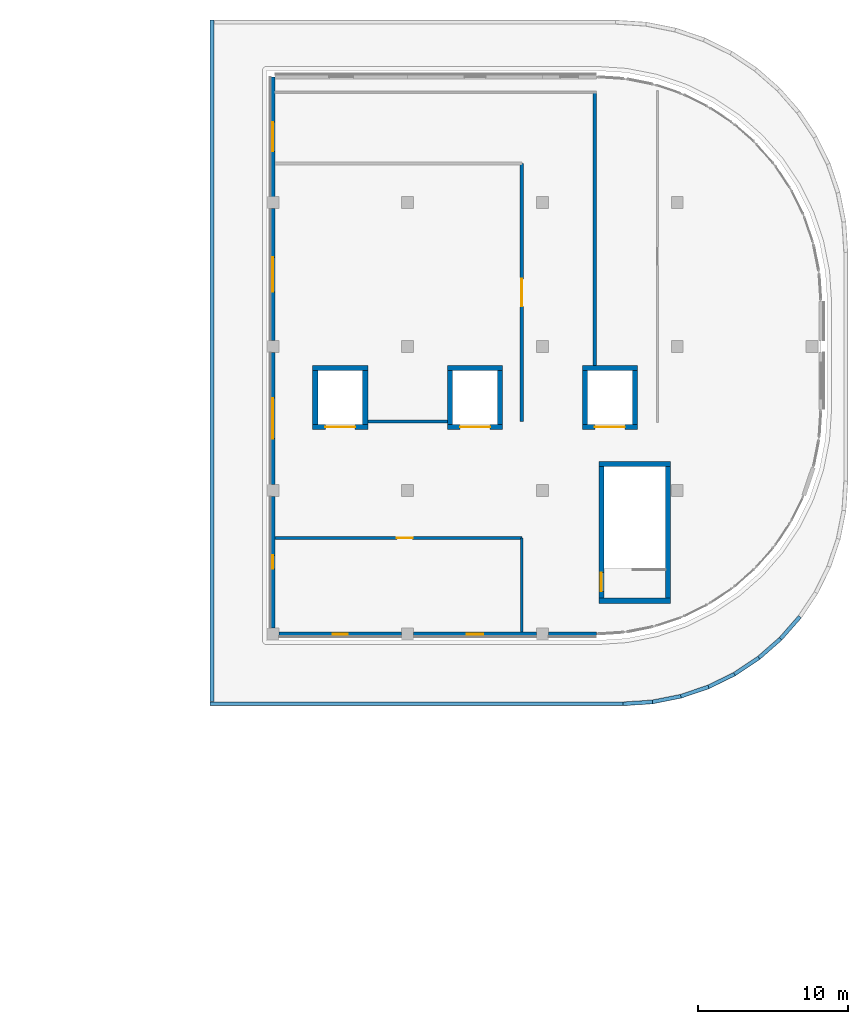
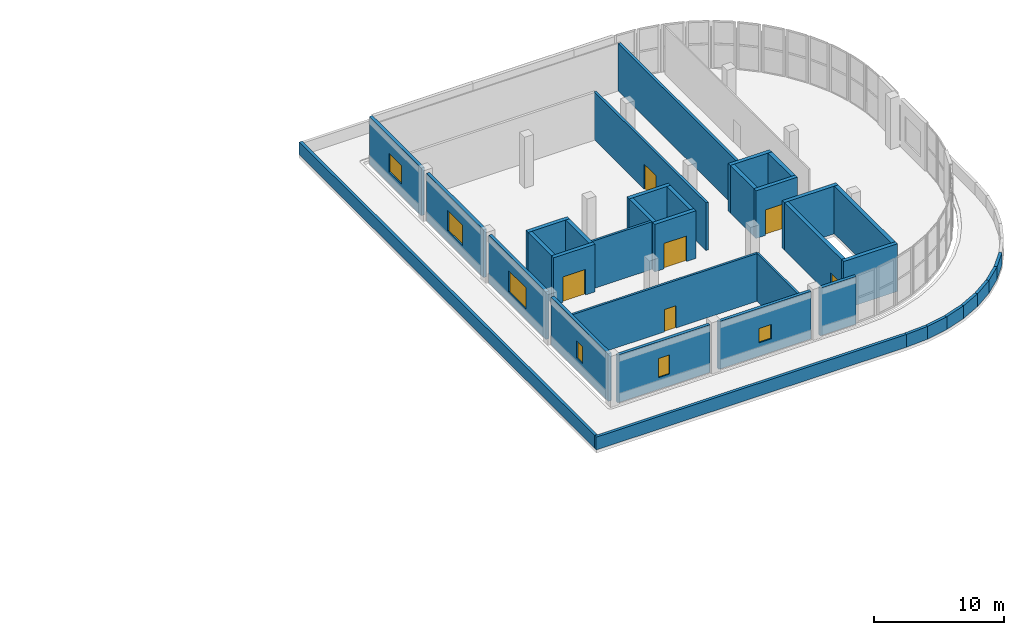
# One storey, part 24 of 33: 37 walls, 6 doors, 6 windows, 12 openings.
"""IFC4 building model written with IfcOpenShell, lengths in metres."""

from ifc_helpers import new_model, si_unit, direction, frame, frame_2d, origin, place, context, subcontext, project, spatial, rectangle, extrude, material, layer, layer_set, type_object, element, fill, save


model = new_model("IFC4")

# Units and contexts
model_context = context("Model", 3, precision=1e-05, world=origin(), true_north=direction((0.0, 1.0)))
body_context = subcontext(model_context, "Body", "Model", "MODEL_VIEW")
ifc_project = project(units=[si_unit("LENGTHUNIT", "METRE"), si_unit("AREAUNIT", "SQUARE_METRE"), si_unit("VOLUMEUNIT", "CUBIC_METRE"), si_unit("PLANEANGLEUNIT", "RADIAN"), si_unit("MASSUNIT", "GRAM", prefix="KILO")], contexts=[model_context])

# Site, building, storey
site_placement = place(None, origin())
site = spatial("IfcSite", under=ifc_project, at=site_placement, CompositionType="ELEMENT")
building_placement = place(site_placement, origin())
building = spatial("IfcBuilding", under=site, at=building_placement, Name="Cendralis Terraced Arcade", CompositionType="ELEMENT")
storey_placement = place(building_placement, frame((0.0, 0.0, 19.800048828125)))
storey = spatial("IfcBuildingStorey", under=building, at=storey_placement, Name="L04", CompositionType="ELEMENT", Elevation=19.800048828125)

# Wall
ifc_material_1 = material(Name="Gypsum plasterboard acoustic partition", Category="concrete")
ifc_layer_1 = layer(ifc_material_1, 0.199951171875, Name="WL-ACOU-200")
ifc_layer_set_1 = layer_set([ifc_layer_1], Name="Gypsum plasterboard acoustic partition")
wall_type_1 = type_object("IfcWallType", Name="WL-ACOU-200", PredefinedType="PARTITIONING", material=ifc_layer_set_1)
wall_1_placement = place(storey_placement, frame((141.860107421875, 83.780029296875, 0.0), z_axis=(0.0, 0.0, 1.0), x_axis=(-1.0, 0.0, 0.0)))
element("IfcWall", 1, at=wall_1_placement, inside=storey, type_object=wall_type_1, Name="Interior Partition Wall IW-L04-0596", PredefinedType="PARTITIONING", context=body_context, shape_type="SweptSolid", body=[
    extrude(rectangle(XDim=5.320068359375, YDim=0.199951171875, at=frame_2d((2.66015625, 0.0))), origin(), (0.0, 0.0, 1.0), 4.47998046875),
])

# Wall, opening, door
ifc_layer_2 = layer(ifc_material_1, 0.2099609375, Name="WL-ACOU-210")
ifc_layer_set_2 = layer_set([ifc_layer_2], Name="Gypsum plasterboard acoustic partition")
wall_type_2 = type_object("IfcWallType", Name="WL-ACOU-210", PredefinedType="PARTITIONING", material=ifc_layer_set_2)
wall_2_placement = place(storey_placement, frame((146.820068359375, 101.02001953125, 0.0), z_axis=(0.0, 0.0, 1.0), x_axis=(0.0, -1.0, 0.0)))
wall_2 = element("IfcWall", 2, at=wall_2_placement, inside=storey, type_object=wall_type_2, Name="Interior Partition Wall IW-L04-0594", PredefinedType="PARTITIONING", context=body_context, shape_type="SweptSolid", body=[
    extrude(rectangle(XDim=17.239990234375, YDim=0.2099609375, at=frame_2d((8.6201171875, 0.0))), origin(), (0.0, 0.0, 1.0), 4.47998046875),
])
opening_1_placement = place(wall_2_placement, frame((7.695068359375, 0.0, 0.0)))
opening_1 = element("IfcOpeningElement", 3, at=opening_1_placement, cuts=wall_2, Name="Opening D-L04-161", PredefinedType="OPENING", context=body_context, shape_type="SweptSolid", body=[
    extrude(rectangle(XDim=1.85009765625, YDim=2.35009765625, at=frame_2d((0.925048828125, 1.175048828125))), frame((0.0, 0.116943359375, 0.0), z_axis=(0.0, -1.0, 0.0), x_axis=(1.0, 0.0, 0.0)), (0.0, 0.0, 1.0), 0.23388671875),
])
ifc_material_2 = material(Name="Solid core Andean oak veneer door leaf", Category="aluminium")
door_type_1 = type_object("IfcDoorType", Name="ID-DEP-1850x2350", OperationType="DOUBLE_DOOR_SINGLE_SWING", PredefinedType="DOOR", material=ifc_material_2)
door_1_placement = place(opening_1_placement, origin())
door_1 = element("IfcDoor", 4, at=door_1_placement, inside=storey, type_object=door_type_1, Name="Buying and Store Management Offices - Executive Door D-L04-161", OperationType="DOUBLE_DOOR_SINGLE_SWING", OverallHeight=2.35009765625, OverallWidth=1.85009765625, PredefinedType="DOOR", context=body_context, shape_type="SweptSolid", body=[
    extrude(rectangle(XDim=1.85009765625, YDim=2.35009765625, at=frame_2d((0.925048828125, 1.175048828125))), frame((0.0, 0.02490234375, 0.0), z_axis=(0.0, -1.0, 0.0), x_axis=(1.0, 0.0, 0.0)), (0.0, 0.0, 1.0), 0.050048828125),
])
fill(opening_1, door_1)

# Walls
ifc_material_3 = material(Name="Autoclaved aerated concrete blockwork", Category="masonry")
ifc_layer_3 = layer(ifc_material_3, 0.22802734375, Name="WL-ACOU-228")
ifc_layer_set_3 = layer_set([ifc_layer_3], Name="Autoclaved aerated concrete blockwork")
wall_type_3 = type_object("IfcWallType", Name="WL-ACOU-228", PredefinedType="PARTITIONING", material=ifc_layer_set_3)
wall_3_placement = place(storey_placement, frame((151.679931640625, 87.5400390625, 0.0), z_axis=(0.0, 0.0, 1.0), x_axis=(0.0, 1.0, 0.0)))
element("IfcWall", 5, at=wall_3_placement, inside=storey, type_object=wall_type_3, Name="Interior Partition Wall IW-L04-0593", PredefinedType="PARTITIONING", context=body_context, shape_type="SweptSolid", body=[
    extrude(rectangle(XDim=18.18603515625, YDim=0.22802734375, at=frame_2d((9.093017578125, 0.0))), origin(), (0.0, 0.0, 1.0), 4.47998046875),
])
ifc_material_4 = material(Name="Concrete f'c 42 MPa", Category="concrete")
ifc_layer_4 = layer(ifc_material_4, 0.340087890625, Name="WL-CORE-340")
ifc_layer_set_4 = layer_set([ifc_layer_4], Name="Concrete f'c 42 MPa")
wall_type_4 = type_object("IfcWallType", Name="WL-CORE-340", PredefinedType="SHEAR", material=ifc_layer_set_4)
for number, where, z_axis, x_axis, name in (
    (6, (151.9599609375, 71.830078125, 0.0), (0.0, 0.0, 1.0), (1.0, 0.0, 0.0), "Stair Core Reinforced Concrete Shear Wall SW-ST-06-L04-S"),
    (7, (151.9599609375, 80.969970703125, 0.0), (0.0, 0.0, 1.0), (1.0, 0.0, 0.0), "Stair Core Reinforced Concrete Shear Wall SW-ST-06-L04-N"),
):
    element("IfcWall", number, at=place(storey_placement, frame(where, z_axis=z_axis, x_axis=x_axis)), inside=storey, type_object=wall_type_4, Name=name, PredefinedType="SHEAR", context=body_context, shape_type="SweptSolid", body=[
        extrude(rectangle(XDim=4.780029296875, YDim=0.340087890625, at=frame_2d((2.39013671875, 0.0))), origin(), (0.0, 0.0, 1.0), 4.47998046875),
    ])
wall_4_placement = place(storey_placement, frame((156.570068359375, 72.0, 0.0), z_axis=(0.0, 0.0, 1.0), x_axis=(0.0, 1.0, 0.0)))
element("IfcWall", 8, at=wall_4_placement, inside=storey, type_object=wall_type_4, Name="Stair Core Reinforced Concrete Shear Wall SW-ST-06-L04-E", PredefinedType="SHEAR", context=body_context, shape_type="SweptSolid", body=[
    extrude(rectangle(XDim=8.800048828125, YDim=0.340087890625, at=frame_2d((4.39990234375, 0.0))), origin(), (0.0, 0.0, 1.0), 4.47998046875),
])

# Wall, opening, door
wall_5_placement = place(storey_placement, frame((152.1298828125, 72.0, 0.0), z_axis=(0.0, 0.0, 1.0), x_axis=(0.0, 1.0, 0.0)))
wall_5 = element("IfcWall", 9, at=wall_5_placement, inside=storey, type_object=wall_type_4, Name="Stair Core Reinforced Concrete Shear Wall SW-ST-06-L04-W", PredefinedType="SHEAR", context=body_context, shape_type="SweptSolid", body=[
    extrude(rectangle(XDim=8.800048828125, YDim=0.340087890625, at=frame_2d((4.39990234375, 0.0))), origin(), (0.0, 0.0, 1.0), 4.47998046875),
])
opening_2_placement = place(wall_5_placement, frame((0.449951171875, 0.0, 0.0)))
opening_2 = element("IfcOpeningElement", 10, at=opening_2_placement, cuts=wall_5, Name="Opening D-ST-06-L04", PredefinedType="OPENING", context=body_context, shape_type="SweptSolid", body=[
    extrude(rectangle(XDim=1.25, YDim=2.199951171875, at=frame_2d((0.625, 1.10009765625))), frame((0.0, 0.18212890625, 0.0), z_axis=(0.0, -1.0, 0.0), x_axis=(1.0, 0.0, 0.0)), (0.0, 0.0, 1.0), 0.364013671875),
])
ifc_material_5 = material(Name="Galvanised fire-rated steel door assembly", Category="steel")
door_type_2 = type_object("IfcDoorType", Name="ID-ST-1250x2200", OperationType="NOTDEFINED", PredefinedType="DOOR", material=ifc_material_5)
door_2_placement = place(opening_2_placement, frame((1.25, 0.0, 0.0), z_axis=(0.0, 0.0, 1.0), x_axis=(-1.0, 0.0, 0.0)))
door_2 = element("IfcDoor", 11, at=door_2_placement, inside=storey, type_object=door_type_2, Name="Protected Stair ST-06 Fire Door (L04)", OperationType="SINGLE_SWING_RIGHT", OverallHeight=2.199951171875, OverallWidth=1.25, PredefinedType="DOOR", context=body_context, shape_type="SweptSolid", body=[
    extrude(rectangle(XDim=1.25, YDim=2.199951171875, at=frame_2d((0.625, 1.10009765625))), frame((0.0, 0.02490234375, 0.0), z_axis=(0.0, -1.0, 0.0), x_axis=(1.0, 0.0, 0.0)), (0.0, 0.0, 1.0), 0.050048828125),
])
fill(opening_2, door_2)

wall_6_placement = place(storey_placement, frame((132.860107421875, 83.429931640625, 0.0), z_axis=(0.0, 0.0, 1.0), x_axis=(1.0, 0.0, 0.0)))
wall_6 = element("IfcWall", 12, at=wall_6_placement, inside=storey, type_object=wall_type_4, Name="Lift GL-01 Reinforced Concrete Shaft Wall (L04)", PredefinedType="SHEAR", context=body_context, shape_type="SweptSolid", body=[
    extrude(rectangle(XDim=3.679931640625, YDim=0.340087890625, at=frame_2d((1.83984375, 0.0))), origin(), (0.0, 0.0, 1.0), 4.47998046875),
])
opening_3_placement = place(wall_6_placement, frame((0.840087890625, 0.0, 0.0)))
opening_3 = element("IfcOpeningElement", 13, at=opening_3_placement, cuts=wall_6, Name="Opening LD-GL-01-L04", PredefinedType="OPENING", context=body_context, shape_type="SweptSolid", body=[
    extrude(rectangle(XDim=2.0, YDim=2.39990234375, at=frame_2d((1.0, 1.199951171875))), frame((0.0, 0.18212890625, 0.0), z_axis=(0.0, -1.0, 0.0), x_axis=(1.0, 0.0, 0.0)), (0.0, 0.0, 1.0), 0.364013671875),
])
ifc_material_6 = material(Name="Anodised aluminium sliding door assembly", Category="aluminium")
door_type_3 = type_object("IfcDoorType", Name="ID-LD-GD-2000x2400", OperationType="DOUBLE_DOOR_SLIDING", PredefinedType="DOOR", material=ifc_material_6)
door_3_placement = place(opening_3_placement, origin())
door_3 = element("IfcDoor", 14, at=door_3_placement, inside=storey, type_object=door_type_3, Name="Lift GL-01 Sliding Landing Door (L04)", OperationType="DOUBLE_DOOR_SLIDING", OverallHeight=2.39990234375, OverallWidth=2.0, PredefinedType="DOOR", context=body_context, shape_type="SweptSolid", body=[
    extrude(rectangle(XDim=2.0, YDim=2.39990234375, at=frame_2d((1.0, 1.199951171875))), frame((0.0, 0.02490234375, 0.0), z_axis=(0.0, -1.0, 0.0), x_axis=(1.0, 0.0, 0.0)), (0.0, 0.0, 1.0), 0.050048828125),
])
fill(opening_3, door_3)

# Walls
wall_7_placement = place(storey_placement, frame((132.860107421875, 87.3701171875, 0.0), z_axis=(0.0, 0.0, 1.0), x_axis=(1.0, 0.0, 0.0)))
element("IfcWall", 15, at=wall_7_placement, inside=storey, type_object=wall_type_4, Name="Lift GL-01 Reinforced Concrete Shaft Wall (L04)", PredefinedType="SHEAR", context=body_context, shape_type="SweptSolid", body=[
    extrude(rectangle(XDim=3.679931640625, YDim=0.340087890625, at=frame_2d((1.83984375, 0.0))), origin(), (0.0, 0.0, 1.0), 4.47998046875),
])
for number, where, z_axis, x_axis, name in (
    (16, (133.030029296875, 83.60009765625, 0.0), (0.0, 0.0, 1.0), (0.0, 1.0, 0.0), "Lift GL-01 Reinforced Concrete Shaft Wall (L04)"),
    (17, (136.3701171875, 83.60009765625, 0.0), (0.0, 0.0, 1.0), (0.0, 1.0, 0.0), "Lift GL-01 Reinforced Concrete Shaft Wall (L04)"),
):
    element("IfcWall", number, at=place(storey_placement, frame(where, z_axis=z_axis, x_axis=x_axis)), inside=storey, type_object=wall_type_4, Name=name, PredefinedType="SHEAR", context=body_context, shape_type="SweptSolid", body=[
        extrude(rectangle(XDim=3.599853515625, YDim=0.340087890625, at=frame_2d((1.7998046875, 0.0))), origin(), (0.0, 0.0, 1.0), 4.47998046875),
    ])

# Wall, opening, door
wall_8_placement = place(storey_placement, frame((141.860107421875, 83.429931640625, 0.0), z_axis=(0.0, 0.0, 1.0), x_axis=(1.0, 0.0, 0.0)))
wall_8 = element("IfcWall", 18, at=wall_8_placement, inside=storey, type_object=wall_type_4, Name="Lift GL-02 Reinforced Concrete Shaft Wall (L04)", PredefinedType="SHEAR", context=body_context, shape_type="SweptSolid", body=[
    extrude(rectangle(XDim=3.679931640625, YDim=0.340087890625, at=frame_2d((1.83984375, 0.0))), origin(), (0.0, 0.0, 1.0), 4.47998046875),
])
opening_4_placement = place(wall_8_placement, frame((0.840087890625, 0.0, 0.0)))
opening_4 = element("IfcOpeningElement", 19, at=opening_4_placement, cuts=wall_8, Name="Opening LD-GL-02-L04", PredefinedType="OPENING", context=body_context, shape_type="SweptSolid", body=[
    extrude(rectangle(XDim=2.0, YDim=2.39990234375, at=frame_2d((1.0, 1.199951171875))), frame((0.0, 0.18212890625, 0.0), z_axis=(0.0, -1.0, 0.0), x_axis=(1.0, 0.0, 0.0)), (0.0, 0.0, 1.0), 0.364013671875),
])
door_4_placement = place(opening_4_placement, origin())
door_4 = element("IfcDoor", 20, at=door_4_placement, inside=storey, type_object=door_type_3, Name="Lift GL-02 Sliding Landing Door (L04)", OperationType="DOUBLE_DOOR_SLIDING", OverallHeight=2.39990234375, OverallWidth=2.0, PredefinedType="DOOR", context=body_context, shape_type="SweptSolid", body=[
    extrude(rectangle(XDim=2.0, YDim=2.39990234375, at=frame_2d((1.0, 1.199951171875))), frame((0.0, 0.02490234375, 0.0), z_axis=(0.0, -1.0, 0.0), x_axis=(1.0, 0.0, 0.0)), (0.0, 0.0, 1.0), 0.050048828125),
])
fill(opening_4, door_4)

# Walls
wall_9_placement = place(storey_placement, frame((141.860107421875, 87.3701171875, 0.0), z_axis=(0.0, 0.0, 1.0), x_axis=(1.0, 0.0, 0.0)))
element("IfcWall", 21, at=wall_9_placement, inside=storey, type_object=wall_type_4, Name="Lift GL-02 Reinforced Concrete Shaft Wall (L04)", PredefinedType="SHEAR", context=body_context, shape_type="SweptSolid", body=[
    extrude(rectangle(XDim=3.679931640625, YDim=0.340087890625, at=frame_2d((1.83984375, 0.0))), origin(), (0.0, 0.0, 1.0), 4.47998046875),
])
for number, where, z_axis, x_axis, name in (
    (22, (142.030029296875, 83.60009765625, 0.0), (0.0, 0.0, 1.0), (0.0, 1.0, 0.0), "Lift GL-02 Reinforced Concrete Shaft Wall (L04)"),
    (23, (145.3701171875, 83.60009765625, 0.0), (0.0, 0.0, 1.0), (0.0, 1.0, 0.0), "Lift GL-02 Reinforced Concrete Shaft Wall (L04)"),
):
    element("IfcWall", number, at=place(storey_placement, frame(where, z_axis=z_axis, x_axis=x_axis)), inside=storey, type_object=wall_type_4, Name=name, PredefinedType="SHEAR", context=body_context, shape_type="SweptSolid", body=[
        extrude(rectangle(XDim=3.599853515625, YDim=0.340087890625, at=frame_2d((1.7998046875, 0.0))), origin(), (0.0, 0.0, 1.0), 4.47998046875),
    ])

# Wall, opening, door
wall_10_placement = place(storey_placement, frame((150.860107421875, 83.429931640625, 0.0), z_axis=(0.0, 0.0, 1.0), x_axis=(1.0, 0.0, 0.0)))
wall_10 = element("IfcWall", 24, at=wall_10_placement, inside=storey, type_object=wall_type_4, Name="Lift GL-03 Reinforced Concrete Shaft Wall (L04)", PredefinedType="SHEAR", context=body_context, shape_type="SweptSolid", body=[
    extrude(rectangle(XDim=3.679931640625, YDim=0.340087890625, at=frame_2d((1.83984375, 0.0))), origin(), (0.0, 0.0, 1.0), 4.47998046875),
])
opening_5_placement = place(wall_10_placement, frame((0.840087890625, 0.0, 0.0)))
opening_5 = element("IfcOpeningElement", 25, at=opening_5_placement, cuts=wall_10, Name="Opening LD-GL-03-L04", PredefinedType="OPENING", context=body_context, shape_type="SweptSolid", body=[
    extrude(rectangle(XDim=2.0, YDim=2.39990234375, at=frame_2d((1.0, 1.199951171875))), frame((0.0, 0.18212890625, 0.0), z_axis=(0.0, -1.0, 0.0), x_axis=(1.0, 0.0, 0.0)), (0.0, 0.0, 1.0), 0.364013671875),
])
door_5_placement = place(opening_5_placement, origin())
door_5 = element("IfcDoor", 26, at=door_5_placement, inside=storey, type_object=door_type_3, Name="Lift GL-03 Sliding Landing Door (L04)", OperationType="DOUBLE_DOOR_SLIDING", OverallHeight=2.39990234375, OverallWidth=2.0, PredefinedType="DOOR", context=body_context, shape_type="SweptSolid", body=[
    extrude(rectangle(XDim=2.0, YDim=2.39990234375, at=frame_2d((1.0, 1.199951171875))), frame((0.0, 0.02490234375, 0.0), z_axis=(0.0, -1.0, 0.0), x_axis=(1.0, 0.0, 0.0)), (0.0, 0.0, 1.0), 0.050048828125),
])
fill(opening_5, door_5)

# Walls
wall_11_placement = place(storey_placement, frame((150.860107421875, 87.3701171875, 0.0), z_axis=(0.0, 0.0, 1.0), x_axis=(1.0, 0.0, 0.0)))
element("IfcWall", 27, at=wall_11_placement, inside=storey, type_object=wall_type_4, Name="Lift GL-03 Reinforced Concrete Shaft Wall (L04)", PredefinedType="SHEAR", context=body_context, shape_type="SweptSolid", body=[
    extrude(rectangle(XDim=3.679931640625, YDim=0.340087890625, at=frame_2d((1.83984375, 0.0))), origin(), (0.0, 0.0, 1.0), 4.47998046875),
])
for number, where, z_axis, x_axis, name in (
    (28, (151.030029296875, 83.60009765625, 0.0), (0.0, 0.0, 1.0), (0.0, 1.0, 0.0), "Lift GL-03 Reinforced Concrete Shaft Wall (L04)"),
    (29, (154.3701171875, 83.60009765625, 0.0), (0.0, 0.0, 1.0), (0.0, 1.0, 0.0), "Lift GL-03 Reinforced Concrete Shaft Wall (L04)"),
):
    element("IfcWall", number, at=place(storey_placement, frame(where, z_axis=z_axis, x_axis=x_axis)), inside=storey, type_object=wall_type_4, Name=name, PredefinedType="SHEAR", context=body_context, shape_type="SweptSolid", body=[
        extrude(rectangle(XDim=3.599853515625, YDim=0.340087890625, at=frame_2d((1.7998046875, 0.0))), origin(), (0.0, 0.0, 1.0), 4.47998046875),
    ])
ifc_material_7 = material(Name="Precast concrete f'c 40 MPa", Category="concrete")
ifc_layer_5 = layer(ifc_material_7, 0.280029296875, Name="WL-EXT-GRC-280")
ifc_layer_set_5 = layer_set([ifc_layer_5], Name="Precast concrete f'c 40 MPa")
wall_type_5 = type_object("IfcWallType", Name="WL-EXT-GRC-280", PredefinedType="SOLIDWALL", material=ifc_layer_set_5)
wall_12_placement = place(storey_placement, frame((151.800048828125, 69.60009765625, 0.0), z_axis=(0.0, 0.0, 1.0), x_axis=(-1.0, 0.0, 0.0)))
element("IfcWall", 30, at=wall_12_placement, inside=storey, type_object=wall_type_5, Name="Exterior Architectural Wall EW-L04-0287", PredefinedType="SOLIDWALL", context=body_context, shape_type="SweptSolid", body=[
    extrude(rectangle(XDim=3.2021484375, YDim=0.280029296875, at=frame_2d((1.60107421875, 0.0))), origin(), (0.0, 0.0, 1.0), 4.47998046875),
])

# Wall, opening, window
wall_13_placement = place(storey_placement, frame((147.802001953125, 69.60009765625, 0.0), z_axis=(0.0, 0.0, 1.0), x_axis=(-1.0, 0.0, 0.0)))
wall_13 = element("IfcWall", 31, at=wall_13_placement, inside=storey, type_object=wall_type_5, Name="Exterior Architectural Wall EW-L04-0288", PredefinedType="SOLIDWALL", context=body_context, shape_type="SweptSolid", body=[
    extrude(rectangle(XDim=8.2041015625, YDim=0.280029296875, at=frame_2d((4.10205078125, 0.0))), origin(), (0.0, 0.0, 1.0), 4.47998046875),
])
opening_6_placement = place(wall_13_placement, frame((3.552001953125, 0.0, 1.25)))
opening_6 = element("IfcOpeningElement", 32, at=opening_6_placement, cuts=wall_13, Name="Opening W-22", PredefinedType="OPENING", context=body_context, shape_type="SweptSolid", body=[
    extrude(rectangle(XDim=1.10009765625, YDim=1.35009765625, at=frame_2d((0.550048828125, 0.675048828125))), frame((0.0, 0.15185546875, 0.0), z_axis=(0.0, -1.0, 0.0), x_axis=(1.0, 0.0, 0.0)), (0.0, 0.0, 1.0), 0.303955078125),
])
ifc_material_8 = material(Name="Tempered solar control laminated glass", Category="glass")
window_type_1 = type_object("IfcWindowType", Name="WN-BOH-1100x1350", PartitioningType="SINGLE_PANEL", PredefinedType="WINDOW", material=ifc_material_8)
window_1_placement = place(opening_6_placement, origin())
window_1 = element("IfcWindow", 33, at=window_1_placement, inside=storey, type_object=window_type_1, Name="Exterior Solar-Control Window WN-L04-0192", OverallHeight=1.35009765625, OverallWidth=1.10009765625, PartitioningType="SINGLE_PANEL", PredefinedType="WINDOW", context=body_context, shape_type="SweptSolid", body=[
    extrude(rectangle(XDim=1.10009765625, YDim=1.35009765625, at=frame_2d((0.550048828125, 0.675048828125))), frame((0.0, 0.030029296875, 0.0), z_axis=(0.0, -1.0, 0.0), x_axis=(1.0, 0.0, 0.0)), (0.0, 0.0, 1.0), 0.06005859375),
])
fill(opening_6, window_1)

wall_14_placement = place(storey_placement, frame((138.802001953125, 69.60009765625, 0.0), z_axis=(0.0, 0.0, 1.0), x_axis=(-1.0, 0.0, 0.0)))
wall_14 = element("IfcWall", 34, at=wall_14_placement, inside=storey, type_object=wall_type_5, Name="Exterior Architectural Wall EW-L04-0289", PredefinedType="SOLIDWALL", context=body_context, shape_type="SweptSolid", body=[
    extrude(rectangle(XDim=8.2041015625, YDim=0.280029296875, at=frame_2d((4.10205078125, 0.0))), origin(), (0.0, 0.0, 1.0), 4.47998046875),
])
opening_7_placement = place(wall_14_placement, frame((3.60205078125, 0.0, 1.10009765625)))
opening_7 = element("IfcOpeningElement", 35, at=opening_7_placement, cuts=wall_14, Name="Opening W-23", PredefinedType="OPENING", context=body_context, shape_type="SweptSolid", body=[
    extrude(rectangle(XDim=1.0, YDim=1.800048828125, at=frame_2d((0.5, 0.89990234375))), frame((0.0, 0.15185546875, 0.0), z_axis=(0.0, -1.0, 0.0), x_axis=(1.0, 0.0, 0.0)), (0.0, 0.0, 1.0), 0.303955078125),
])
window_type_2 = type_object("IfcWindowType", Name="WN-ST-1000x1800", PartitioningType="SINGLE_PANEL", PredefinedType="WINDOW", material=ifc_material_8)
window_2_placement = place(opening_7_placement, origin())
window_2 = element("IfcWindow", 36, at=window_2_placement, inside=storey, type_object=window_type_2, Name="Exterior Solar-Control Window WN-L04-0193", OverallHeight=1.800048828125, OverallWidth=1.0, PartitioningType="SINGLE_PANEL", PredefinedType="WINDOW", context=body_context, shape_type="SweptSolid", body=[
    extrude(rectangle(XDim=1.0, YDim=1.800048828125, at=frame_2d((0.5, 0.89990234375))), frame((0.0, 0.030029296875, 0.0), z_axis=(0.0, -1.0, 0.0), x_axis=(1.0, 0.0, 0.0)), (0.0, 0.0, 1.0), 0.06005859375),
])
fill(opening_7, window_2)

wall_15_placement = place(storey_placement, frame((130.199951171875, 69.998046875, 0.0), z_axis=(0.0, 0.0, 1.0), x_axis=(0.0, 1.0, 0.0)))
wall_15 = element("IfcWall", 37, at=wall_15_placement, inside=storey, type_object=wall_type_5, Name="Exterior Architectural Wall EW-L04-0290", PredefinedType="SOLIDWALL", context=body_context, shape_type="SweptSolid", body=[
    extrude(rectangle(XDim=8.803955078125, YDim=0.280029296875, at=frame_2d((4.40185546875, 0.0))), origin(), (0.0, 0.0, 1.0), 4.47998046875),
])
opening_8_placement = place(wall_15_placement, frame((3.951904296875, 0.0, 1.14990234375)))
opening_8 = element("IfcOpeningElement", 38, at=opening_8_placement, cuts=wall_15, Name="Opening W-24", PredefinedType="OPENING", context=body_context, shape_type="SweptSolid", body=[
    extrude(rectangle(XDim=0.89990234375, YDim=1.60009765625, at=frame_2d((0.449951171875, 0.800048828125))), frame((0.0, 0.15185546875, 0.0), z_axis=(0.0, -1.0, 0.0), x_axis=(1.0, 0.0, 0.0)), (0.0, 0.0, 1.0), 0.303955078125),
])
window_type_3 = type_object("IfcWindowType", Name="WN-ST-0900x1600", PartitioningType="SINGLE_PANEL", PredefinedType="WINDOW", material=ifc_material_8)
window_3_placement = place(opening_8_placement, origin())
window_3 = element("IfcWindow", 39, at=window_3_placement, inside=storey, type_object=window_type_3, Name="Exterior Solar-Control Window WN-L04-0194", OverallHeight=1.60009765625, OverallWidth=0.89990234375, PartitioningType="SINGLE_PANEL", PredefinedType="WINDOW", context=body_context, shape_type="SweptSolid", body=[
    extrude(rectangle(XDim=0.89990234375, YDim=1.60009765625, at=frame_2d((0.449951171875, 0.800048828125))), frame((0.0, 0.030029296875, 0.0), z_axis=(0.0, -1.0, 0.0), x_axis=(1.0, 0.0, 0.0)), (0.0, 0.0, 1.0), 0.06005859375),
])
fill(opening_8, window_3)

wall_16_placement = place(storey_placement, frame((130.199951171875, 79.597900390625, 0.0), z_axis=(0.0, 0.0, 1.0), x_axis=(0.0, 1.0, 0.0)))
wall_16 = element("IfcWall", 40, at=wall_16_placement, inside=storey, type_object=wall_type_5, Name="Exterior Architectural Wall EW-L04-0291", PredefinedType="SOLIDWALL", context=body_context, shape_type="SweptSolid", body=[
    extrude(rectangle(XDim=8.80419921875, YDim=0.280029296875, at=frame_2d((4.402099609375, 0.0))), origin(), (0.0, 0.0, 1.0), 4.47998046875),
])
opening_9_placement = place(wall_16_placement, frame((3.052001953125, 0.0, 1.0)))
opening_9 = element("IfcOpeningElement", 41, at=opening_9_placement, cuts=wall_16, Name="Opening W-25", PredefinedType="OPENING", context=body_context, shape_type="SweptSolid", body=[
    extrude(rectangle(XDim=2.699951171875, YDim=2.0, at=frame_2d((1.35009765625, 1.0))), frame((0.0, 0.15185546875, 0.0), z_axis=(0.0, -1.0, 0.0), x_axis=(1.0, 0.0, 0.0)), (0.0, 0.0, 1.0), 0.303955078125),
])
window_type_4 = type_object("IfcWindowType", Name="WN-F3-2700x2000", PartitioningType="SINGLE_PANEL", PredefinedType="WINDOW", material=ifc_material_8)
window_4_placement = place(opening_9_placement, origin())
window_4 = element("IfcWindow", 42, at=window_4_placement, inside=storey, type_object=window_type_4, Name="Exterior Solar-Control Window WN-L04-0195", OverallHeight=2.0, OverallWidth=2.699951171875, PartitioningType="SINGLE_PANEL", PredefinedType="WINDOW", context=body_context, shape_type="SweptSolid", body=[
    extrude(rectangle(XDim=2.699951171875, YDim=2.0, at=frame_2d((1.35009765625, 1.0))), frame((0.0, 0.030029296875, 0.0), z_axis=(0.0, -1.0, 0.0), x_axis=(1.0, 0.0, 0.0)), (0.0, 0.0, 1.0), 0.06005859375),
])
fill(opening_9, window_4)

wall_17_placement = place(storey_placement, frame((130.199951171875, 89.197998046875, 0.0), z_axis=(0.0, 0.0, 1.0), x_axis=(0.0, 1.0, 0.0)))
wall_17 = element("IfcWall", 43, at=wall_17_placement, inside=storey, type_object=wall_type_5, Name="Exterior Architectural Wall EW-L04-0292", PredefinedType="SOLIDWALL", context=body_context, shape_type="SweptSolid", body=[
    extrude(rectangle(XDim=8.803955078125, YDim=0.280029296875, at=frame_2d((4.40185546875, 0.0))), origin(), (0.0, 0.0, 1.0), 4.47998046875),
])
opening_10_placement = place(wall_17_placement, frame((3.251953125, 0.0, 1.050048828125)))
opening_10 = element("IfcOpeningElement", 44, at=opening_10_placement, cuts=wall_17, Name="Opening W-26", PredefinedType="OPENING", context=body_context, shape_type="SweptSolid", body=[
    extrude(rectangle(XDim=2.300048828125, YDim=1.89990234375, at=frame_2d((1.14990234375, 0.949951171875))), frame((0.0, 0.15185546875, 0.0), z_axis=(0.0, -1.0, 0.0), x_axis=(1.0, 0.0, 0.0)), (0.0, 0.0, 1.0), 0.303955078125),
])
window_type_5 = type_object("IfcWindowType", Name="WN-F3-2300x1900", PartitioningType="SINGLE_PANEL", PredefinedType="WINDOW", material=ifc_material_8)
window_5_placement = place(opening_10_placement, origin())
window_5 = element("IfcWindow", 45, at=window_5_placement, inside=storey, type_object=window_type_5, Name="Exterior Solar-Control Window WN-L04-0196", OverallHeight=1.89990234375, OverallWidth=2.300048828125, PartitioningType="SINGLE_PANEL", PredefinedType="WINDOW", context=body_context, shape_type="SweptSolid", body=[
    extrude(rectangle(XDim=2.300048828125, YDim=1.89990234375, at=frame_2d((1.14990234375, 0.949951171875))), frame((0.0, 0.030029296875, 0.0), z_axis=(0.0, -1.0, 0.0), x_axis=(1.0, 0.0, 0.0)), (0.0, 0.0, 1.0), 0.06005859375),
])
fill(opening_10, window_5)

wall_18_placement = place(storey_placement, frame((130.199951171875, 98.798095703125, 0.0), z_axis=(0.0, 0.0, 1.0), x_axis=(0.0, 1.0, 0.0)))
wall_18 = element("IfcWall", 46, at=wall_18_placement, inside=storey, type_object=wall_type_5, Name="Exterior Architectural Wall EW-L04-0293", PredefinedType="SOLIDWALL", context=body_context, shape_type="SweptSolid", body=[
    extrude(rectangle(XDim=8.001953125, YDim=0.280029296875, at=frame_2d((4.0009765625, 0.0))), origin(), (0.0, 0.0, 1.0), 4.47998046875),
])
opening_11_placement = place(wall_18_placement, frame((3.02587890625, 0.0, 1.10009765625)))
opening_11 = element("IfcOpeningElement", 47, at=opening_11_placement, cuts=wall_18, Name="Opening W-27", PredefinedType="OPENING", context=body_context, shape_type="SweptSolid", body=[
    extrude(rectangle(XDim=1.949951171875, YDim=1.75, at=frame_2d((0.97509765625, 0.875))), frame((0.0, 0.15185546875, 0.0), z_axis=(0.0, -1.0, 0.0), x_axis=(1.0, 0.0, 0.0)), (0.0, 0.0, 1.0), 0.303955078125),
])
window_type_6 = type_object("IfcWindowType", Name="WN-F3-1950x1750", PartitioningType="SINGLE_PANEL", PredefinedType="WINDOW", material=ifc_material_8)
window_6_placement = place(opening_11_placement, origin())
window_6 = element("IfcWindow", 48, at=window_6_placement, inside=storey, type_object=window_type_6, Name="Exterior Solar-Control Window WN-L04-0197", OverallHeight=1.75, OverallWidth=1.949951171875, PartitioningType="SINGLE_PANEL", PredefinedType="WINDOW", context=body_context, shape_type="SweptSolid", body=[
    extrude(rectangle(XDim=1.949951171875, YDim=1.75, at=frame_2d((0.97509765625, 0.875))), frame((0.0, 0.030029296875, 0.0), z_axis=(0.0, -1.0, 0.0), x_axis=(1.0, 0.0, 0.0)), (0.0, 0.0, 1.0), 0.06005859375),
])
fill(opening_11, window_6)

# Walls
ifc_layer_6 = layer(ifc_material_7, 0.25, Name="WL-PAR-250")
ifc_layer_set_6 = layer_set([ifc_layer_6], Name="Precast concrete f'c 40 MPa")
wall_type_6 = type_object("IfcWallType", Name="WL-PAR-250", PredefinedType="PARAPET", material=ifc_layer_set_6)
wall_19_placement = place(storey_placement, frame((165.391357421875, 70.76416015625, 0.0), z_axis=(0.0, 0.0, 1.0), x_axis=(-0.659367493455, -0.751820795519, 0.0)))
element("IfcWall", 49, at=wall_19_placement, inside=storey, type_object=wall_type_6, Name="Precast Concrete Roof Parapet Wall PAR-L04-397", PredefinedType="PARAPET", context=body_context, shape_type="SweptSolid", body=[
    extrude(rectangle(XDim=1.9619140625, YDim=0.25, at=frame_2d((0.98095703125, 0.0))), origin(), (0.0, 0.0, 1.0), 1.199951171875),
])
for number, where, z_axis, x_axis, name in (
    (50, (164.111083984375, 69.302490234375, 0.0), (0.0, 0.0, 1.0), (-0.751874886859, -0.659305812587, 0.0), "Precast Concrete Roof Parapet Wall PAR-L04-398"),
    (51, (162.65087890625, 68.020263671875, 0.0), (0.0, 0.0, 1.0), (-0.831494775821, -0.555532571306, 0.0), "Precast Concrete Roof Parapet Wall PAR-L04-399"),
    (52, (161.035888671875, 66.939697265625, 0.0), (0.0, 0.0, 1.0), (-0.89685261461, -0.44232950124, 0.0), "Precast Concrete Roof Parapet Wall PAR-L04-400"),
):
    element("IfcWall", number, at=place(storey_placement, frame(where, z_axis=z_axis, x_axis=x_axis)), inside=storey, type_object=wall_type_6, Name=name, PredefinedType="PARAPET", context=body_context, shape_type="SweptSolid", body=[
        extrude(rectangle(XDim=1.962158203125, YDim=0.25, at=frame_2d((0.98095703125, 0.0))), origin(), (0.0, 0.0, 1.0), 1.199951171875),
    ])
wall_20_placement = place(storey_placement, frame((159.293701171875, 66.0791015625, 0.0), z_axis=(0.0, 0.0, 1.0), x_axis=(-0.946939480853, -0.321411915774, 0.0)))
element("IfcWall", 53, at=wall_20_placement, inside=storey, type_object=wall_type_6, Name="Precast Concrete Roof Parapet Wall PAR-L04-401", PredefinedType="PARAPET", context=body_context, shape_type="SweptSolid", body=[
    extrude(rectangle(XDim=1.9619140625, YDim=0.25, at=frame_2d((0.98095703125, 0.0))), origin(), (0.0, 0.0, 1.0), 1.199951171875),
])
wall_21_placement = place(storey_placement, frame((157.4541015625, 65.453369140625, 0.0), z_axis=(0.0, 0.0, 1.0), x_axis=(-0.980785903935, -0.195087187285, 0.0)))
element("IfcWall", 54, at=wall_21_placement, inside=storey, type_object=wall_type_6, Name="Precast Concrete Roof Parapet Wall PAR-L04-402", PredefinedType="PARAPET", context=body_context, shape_type="SweptSolid", body=[
    extrude(rectangle(XDim=1.962158203125, YDim=0.25, at=frame_2d((0.98095703125, 0.0))), origin(), (0.0, 0.0, 1.0), 1.199951171875),
])
wall_22_placement = place(storey_placement, frame((155.54833984375, 65.072998046875, 0.0), z_axis=(0.0, 0.0, 1.0), x_axis=(-0.997855616904, -0.065453554619, 0.0)))
element("IfcWall", 55, at=wall_22_placement, inside=storey, type_object=wall_type_6, Name="Precast Concrete Roof Parapet Wall PAR-L04-403", PredefinedType="PARAPET", context=body_context, shape_type="SweptSolid", body=[
    extrude(rectangle(XDim=1.9619140625, YDim=0.25, at=frame_2d((0.98095703125, 0.0))), origin(), (0.0, 0.0, 1.0), 1.199951171875),
])
wall_23_placement = place(storey_placement, frame((153.60009765625, 64.945068359375, 0.0), z_axis=(0.0, 0.0, 1.0), x_axis=(-1.0, 0.0, 0.0)))
element("IfcWall", 56, at=wall_23_placement, inside=storey, type_object=wall_type_6, Name="Precast Concrete Roof Parapet Wall PAR-L04-404", PredefinedType="PARAPET", context=body_context, shape_type="SweptSolid", body=[
    extrude(rectangle(XDim=27.60009765625, YDim=0.25, at=frame_2d((13.800048828125, 0.0))), origin(), (0.0, 0.0, 1.0), 1.199951171875),
])
wall_24_placement = place(storey_placement, frame((126.14501953125, 65.090087890625, 0.0), z_axis=(0.0, 0.0, 1.0), x_axis=(0.0, 1.0, 0.0)))
element("IfcWall", 57, at=wall_24_placement, inside=storey, type_object=wall_type_6, Name="Precast Concrete Roof Parapet Wall PAR-L04-405", PredefinedType="PARAPET", context=body_context, shape_type="SweptSolid", body=[
    extrude(rectangle(XDim=45.510009765625, YDim=0.25, at=frame_2d((22.7548828125, 0.0))), origin(), (0.0, 0.0, 1.0), 1.199951171875),
])
ifc_layer_7 = layer(ifc_material_1, 0.18505859375, Name="WL-PART-185")
ifc_layer_set_7 = layer_set([ifc_layer_7], Name="Gypsum plasterboard acoustic partition")
wall_type_7 = type_object("IfcWallType", Name="WL-PART-185", PredefinedType="PARTITIONING", material=ifc_layer_set_7)
wall_25_placement = place(storey_placement, frame((146.820068359375, 76.02001953125, 0.0), z_axis=(0.0, 0.0, 1.0), x_axis=(0.0, -1.0, 0.0)))
element("IfcWall", 58, at=wall_25_placement, inside=storey, type_object=wall_type_7, Name="Interior Partition Wall IW-L04-0598", PredefinedType="PARTITIONING", context=body_context, shape_type="SweptSolid", body=[
    extrude(rectangle(XDim=6.280029296875, YDim=0.18505859375, at=frame_2d((3.14013671875, 0.0))), origin(), (0.0, 0.0, 1.0), 4.47998046875),
])

# Wall, opening, door
ifc_layer_8 = layer(ifc_material_1, 0.18994140625, Name="WL-PART-190")
ifc_layer_set_8 = layer_set([ifc_layer_8], Name="Gypsum plasterboard acoustic partition")
wall_type_8 = type_object("IfcWallType", Name="WL-PART-190", PredefinedType="PARTITIONING", material=ifc_layer_set_8)
wall_26_placement = place(storey_placement, frame((130.340087890625, 76.02001953125, 0.0), z_axis=(0.0, 0.0, 1.0), x_axis=(1.0, 0.0, 0.0)))
wall_26 = element("IfcWall", 59, at=wall_26_placement, inside=storey, type_object=wall_type_8, Name="Interior Partition Wall IW-L04-0597", PredefinedType="PARTITIONING", context=body_context, shape_type="SweptSolid", body=[
    extrude(rectangle(XDim=16.47998046875, YDim=0.18994140625, at=frame_2d((8.239990234375, 0.0))), origin(), (0.0, 0.0, 1.0), 4.47998046875),
])
opening_12_placement = place(wall_26_placement, frame((8.135009765625, 0.0, 0.0)))
opening_12 = element("IfcOpeningElement", 60, at=opening_12_placement, cuts=wall_26, Name="Opening D-L04-162", PredefinedType="OPENING", context=body_context, shape_type="SweptSolid", body=[
    extrude(rectangle(XDim=1.050048828125, YDim=2.10009765625, at=frame_2d((0.52490234375, 1.050048828125))), frame((0.0, 0.10693359375, 0.0), z_axis=(0.0, -1.0, 0.0), x_axis=(1.0, 0.0, 0.0)), (0.0, 0.0, 1.0), 0.2138671875),
])
door_type_4 = type_object("IfcDoorType", Name="ID-RM-1050x2100", OperationType="NOTDEFINED", PredefinedType="DOOR", material=ifc_material_2)
door_6_placement = place(opening_12_placement, origin())
door_6 = element("IfcDoor", 61, at=door_6_placement, inside=storey, type_object=door_type_4, Name="Buying and Store Management Offices - Executive Door D-L04-162", OperationType="SINGLE_SWING_LEFT", OverallHeight=2.10009765625, OverallWidth=1.050048828125, PredefinedType="DOOR", context=body_context, shape_type="SweptSolid", body=[
    extrude(rectangle(XDim=1.050048828125, YDim=2.10009765625, at=frame_2d((0.52490234375, 1.050048828125))), frame((0.0, 0.02490234375, 0.0), z_axis=(0.0, -1.0, 0.0), x_axis=(1.0, 0.0, 0.0)), (0.0, 0.0, 1.0), 0.050048828125),
])
fill(opening_12, door_6)

save(model, "model.ifc")
